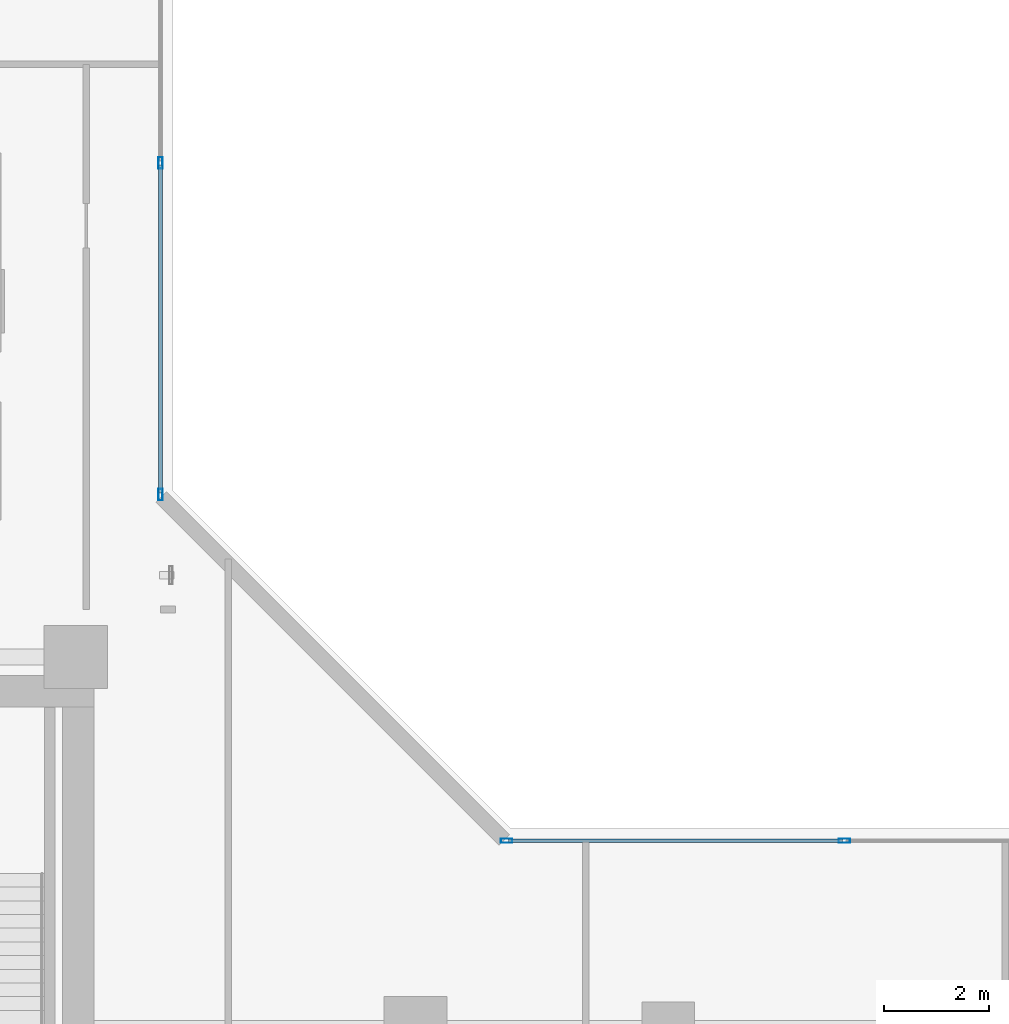
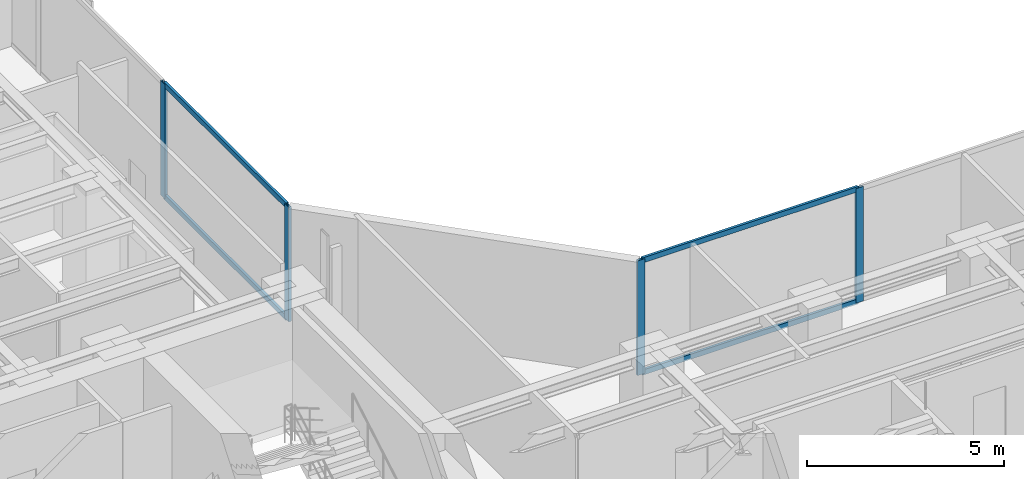
# One storey, part 10 of 27: 8 members, 2 elements without a shape of their own.
"""IFC4 building model written with IfcOpenShell, lengths in metres."""

from ifc_helpers import new_model, si_unit, direction, frame, origin, origin_with_axes, origin_2d, place, context, subcontext, project, spatial, hollow_rectangle, extrude, source, transform, mapped, material, layer, layer_set, material_profile, profile_set, type_object, element, aggregate, save


model = new_model("IFC4")

# Units and contexts
model_context = context("Model", 3, precision=1e-05, world=origin(), true_north=direction((0.0, 1.0)))
body_context = subcontext(model_context, "Body", "Model", "MODEL_VIEW")
ifc_project = project(units=[si_unit("LENGTHUNIT", "METRE"), si_unit("AREAUNIT", "SQUARE_METRE"), si_unit("VOLUMEUNIT", "CUBIC_METRE"), si_unit("PLANEANGLEUNIT", "RADIAN"), si_unit("MASSUNIT", "GRAM", prefix="KILO")], contexts=[model_context])

# Site, building, storey
site_placement = place(None, origin())
site = spatial("IfcSite", under=ifc_project, at=site_placement, CompositionType="ELEMENT")
building_placement = place(site_placement, origin())
building = spatial("IfcBuilding", under=site, at=building_placement, Name="Kolvaren Waterfront Exchange", CompositionType="ELEMENT")
storey_placement = place(building_placement, frame((0.0, 0.0, 176.60009765625)))
storey = spatial("IfcBuildingStorey", under=building, at=storey_placement, Name="L45", CompositionType="ELEMENT", Elevation=176.60009765625)

# Curtain wall, members
ifc_material_1 = material(Name="Anodised bronze aluminium 6063-T6", Category="aluminium")
ifc_layer = layer(ifc_material_1, 0.219970703125, Name="Anodised bronze aluminium 6063-T6")
ifc_layer_set = layer_set([ifc_layer], Name="Anodised bronze aluminium 6063-T6")
curtain_wall_type = type_object("IfcCurtainWallType", Name="ARC-CW-SYS1", PredefinedType="USERDEFINED", material=ifc_layer_set)
curtain_wall_1_placement = place(storey_placement, origin())
curtain_wall_1 = element("IfcCurtainWall", 1, at=curtain_wall_1_placement, inside=storey, type_object=curtain_wall_type, Name="L45 stick curtain wall CW1 (CW-L45-NE)", ObjectType="STICK CURTAIN WALL", PredefinedType="USERDEFINED")
ifc_material_2 = material(Name="Anodised aluminium 6063-T6", Category="aluminium")
ifc_material_profile_1 = material_profile(ifc_material_2, hollow_rectangle(XDim=0.074951171875, YDim=0.159912109375, WallThickness=0.00439453125, at=origin_2d()), Name="ALU-TRN-160x75x4.5")
ifc_profile_set_1 = profile_set([ifc_material_profile_1], Name="Anodised aluminium 6063-T6")
member_type_1 = type_object("IfcMemberType", Name="ARC-CWT-160", PredefinedType="USERDEFINED", material=ifc_profile_set_1)
shared_shape_1 = source(origin_with_axes(), body_context, "Body", "SweptSolid", [
    extrude(hollow_rectangle(XDim=0.074951171875, YDim=0.159912109375, WallThickness=0.00439453125, at=origin_2d()), origin(), (0.0, 0.0, 1.0), 6.216552734375),
])
member_1_placement = place(storey_placement, frame((22.360107421875, 27.570068359375, 0.037353515625), z_axis=(0.0, 1.0, 0.0), x_axis=(-1.0, 0.0, 0.0)))
member_1 = element("IfcMember", 2, at=member_1_placement, type_object=member_type_1, Name="CW1 transom 1.1", ObjectType="TRANSOM", PredefinedType="USERDEFINED", context=body_context, shape_type="MappedRepresentation", body=[
    mapped(shared_shape_1, transform((0.0, 0.0, 0.0), x_axis=(1.0, 0.0, 0.0), y_axis=(0.0, 1.0, 0.0), z_axis=(0.0, 0.0, 1.0), scale=1.0)),
])
member_2_placement = place(storey_placement, frame((22.360107421875, 27.570068359375, 3.5224609375), z_axis=(0.0, 1.0, 0.0), x_axis=(-1.0, 0.0, 0.0)))
member_2 = element("IfcMember", 3, at=member_2_placement, type_object=member_type_1, Name="CW1 transom 1.2", ObjectType="TRANSOM", PredefinedType="USERDEFINED", context=body_context, shape_type="MappedRepresentation", body=[
    mapped(shared_shape_1, transform((0.0, 0.0, 0.0), x_axis=(1.0, 0.0, 0.0), y_axis=(0.0, 1.0, 0.0), z_axis=(0.0, 0.0, 1.0), scale=1.0)),
])

curtain_wall_2_placement = place(storey_placement, origin())
curtain_wall_2 = element("IfcCurtainWall", 4, at=curtain_wall_2_placement, inside=storey, type_object=curtain_wall_type, Name="L45 stick curtain wall CW1 (CW-L45-EN)", ObjectType="STICK CURTAIN WALL", PredefinedType="USERDEFINED")
shared_shape_2 = source(origin_with_axes(), body_context, "Body", "SweptSolid", [
    extrude(hollow_rectangle(XDim=0.074951171875, YDim=0.159912109375, WallThickness=0.00439453125, at=origin_2d()), origin(), (0.0, 0.0, 1.0), 6.33251953125),
])
member_3_placement = place(storey_placement, frame((28.969970703125, 20.9599609375, 0.037353515625), z_axis=(1.0, 0.0, 0.0), x_axis=(0.0, 1.0, 0.0)))
member_3 = element("IfcMember", 5, at=member_3_placement, type_object=member_type_1, Name="CW1 transom 1.1", ObjectType="TRANSOM", PredefinedType="USERDEFINED", context=body_context, shape_type="MappedRepresentation", body=[
    mapped(shared_shape_2, transform((0.0, 0.0, 0.0), x_axis=(1.0, 0.0, 0.0), y_axis=(0.0, 1.0, 0.0), z_axis=(0.0, 0.0, 1.0), scale=1.0)),
])
member_4_placement = place(storey_placement, frame((28.969970703125, 20.9599609375, 3.5224609375), z_axis=(1.0, 0.0, 0.0), x_axis=(0.0, 1.0, 0.0)))
member_4 = element("IfcMember", 6, at=member_4_placement, type_object=member_type_1, Name="CW1 transom 1.2", ObjectType="TRANSOM", PredefinedType="USERDEFINED", context=body_context, shape_type="MappedRepresentation", body=[
    mapped(shared_shape_2, transform((0.0, 0.0, 0.0), x_axis=(1.0, 0.0, 0.0), y_axis=(0.0, 1.0, 0.0), z_axis=(0.0, 0.0, 1.0), scale=1.0)),
])

# Member
ifc_material_profile_2 = material_profile(ifc_material_2, hollow_rectangle(XDim=0.080078125, YDim=0.219970703125, WallThickness=0.0048828125, at=origin_2d()), Name="ALU-MUL-220x80x5")
ifc_profile_set_2 = profile_set([ifc_material_profile_2], Name="Anodised aluminium 6063-T6")
member_type_2 = type_object("IfcMemberType", Name="ARC-CWM-220", PredefinedType="MULLION", material=ifc_profile_set_2)
shared_shape_3 = source(origin_with_axes(), body_context, "Body", "SweptSolid", [
    extrude(hollow_rectangle(XDim=0.080078125, YDim=0.219970703125, WallThickness=0.0048828125, at=origin_2d()), origin(), (0.0, 0.0, 1.0), 3.559814453125),
])
member_5_placement = place(storey_placement, frame((22.360107421875, 27.530029296875, 0.0), z_axis=(0.0, 0.0, 1.0), x_axis=(-1.0, 0.0, 0.0)))
member_5 = element("IfcMember", 7, at=member_5_placement, type_object=member_type_2, Name="CW1 mullion 1", PredefinedType="MULLION", context=body_context, shape_type="MappedRepresentation", body=[
    mapped(shared_shape_3, transform((0.0, 0.0, 0.0), x_axis=(1.0, 0.0, 0.0), y_axis=(0.0, 1.0, 0.0), z_axis=(0.0, 0.0, 1.0), scale=1.0)),
])

member_6_placement = place(storey_placement, frame((22.360107421875, 33.82666015625, 0.0), z_axis=(0.0, 0.0, 1.0), x_axis=(-1.0, 0.0, 0.0)))
member_6 = element("IfcMember", 8, at=member_6_placement, type_object=member_type_2, Name="CW1 mullion 2", PredefinedType="MULLION", context=body_context, shape_type="MappedRepresentation", body=[
    mapped(shared_shape_3, transform((0.0, 0.0, 0.0), x_axis=(1.0, 0.0, 0.0), y_axis=(0.0, 1.0, 0.0), z_axis=(0.0, 0.0, 1.0), scale=1.0)),
])

aggregate(curtain_wall_1, [member_5, member_6, member_1, member_2])

member_7_placement = place(storey_placement, frame((28.929931640625, 20.9599609375, 0.0), z_axis=(0.0, 0.0, 1.0), x_axis=(0.0, 1.0, 0.0)))
member_7 = element("IfcMember", 9, at=member_7_placement, type_object=member_type_2, Name="CW1 mullion 1", PredefinedType="MULLION", context=body_context, shape_type="MappedRepresentation", body=[
    mapped(shared_shape_3, transform((0.0, 0.0, 0.0), x_axis=(1.0, 0.0, 0.0), y_axis=(0.0, 1.0, 0.0), z_axis=(0.0, 0.0, 1.0), scale=1.0)),
])

member_8_placement = place(storey_placement, frame((35.342529296875, 20.9599609375, 0.0), z_axis=(0.0, 0.0, 1.0), x_axis=(0.0, 1.0, 0.0)))
member_8 = element("IfcMember", 10, at=member_8_placement, type_object=member_type_2, Name="CW1 mullion 2", PredefinedType="MULLION", context=body_context, shape_type="MappedRepresentation", body=[
    mapped(shared_shape_3, transform((0.0, 0.0, 0.0), x_axis=(1.0, 0.0, 0.0), y_axis=(0.0, 1.0, 0.0), z_axis=(0.0, 0.0, 1.0), scale=1.0)),
])

aggregate(curtain_wall_2, [member_7, member_8, member_3, member_4])

save(model, "model.ifc")
